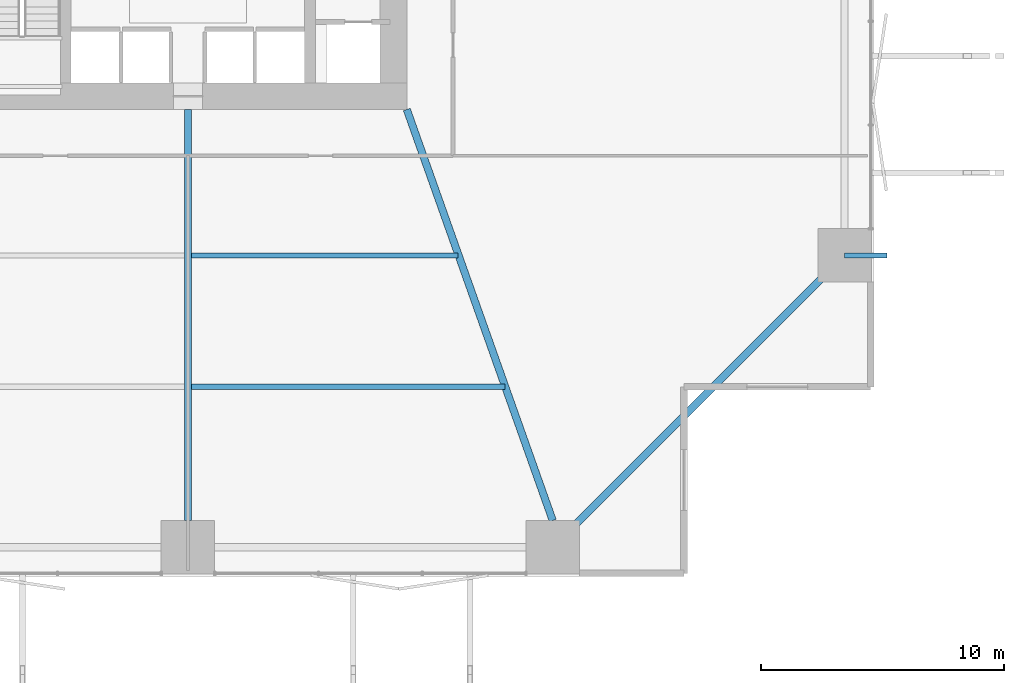
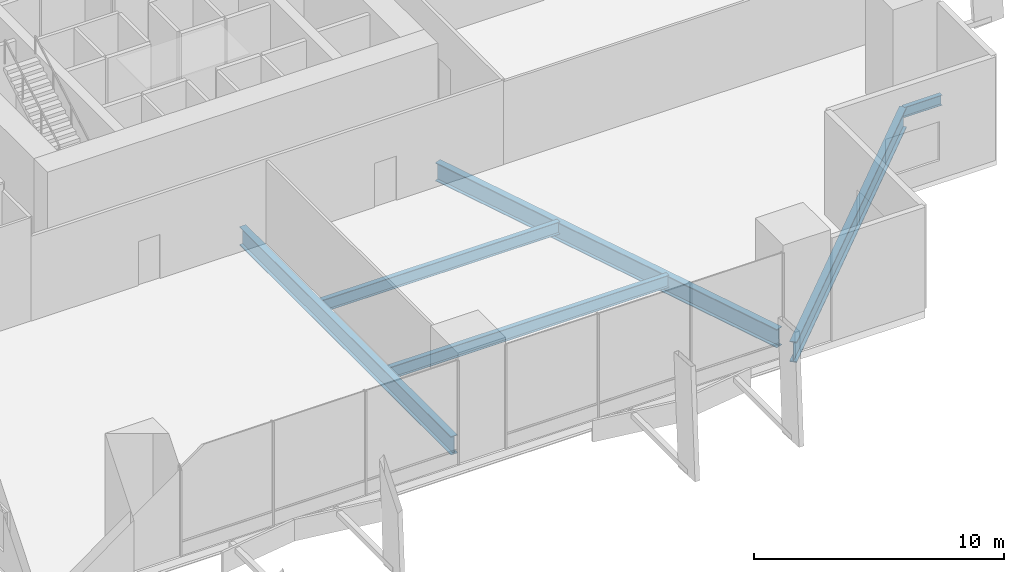
# One storey, part 7 of 24: 6 beams.
"""IFC4 building model written with IfcOpenShell, lengths in metres."""

from ifc_helpers import new_model, si_unit, direction, frame, origin, origin_2d, place, context, subcontext, project, spatial, i_section, extrude, material, material_profile, profile_set, type_object, element, save


model = new_model("IFC4")

# Units and contexts
model_context = context("Model", 3, precision=1e-05, world=origin(), true_north=direction((0.0, 1.0)))
body_context = subcontext(model_context, "Body", "Model", "MODEL_VIEW")
ifc_project = project(units=[si_unit("LENGTHUNIT", "METRE"), si_unit("AREAUNIT", "SQUARE_METRE"), si_unit("VOLUMEUNIT", "CUBIC_METRE"), si_unit("PLANEANGLEUNIT", "RADIAN"), si_unit("MASSUNIT", "GRAM", prefix="KILO")], contexts=[model_context])

# Site, building, storey
site_placement = place(None, origin())
site = spatial("IfcSite", under=ifc_project, at=site_placement, CompositionType="ELEMENT")
building_placement = place(site_placement, origin())
building = spatial("IfcBuilding", under=site, at=building_placement, Name="Belovzor Exchange Tower", CompositionType="ELEMENT")
storey_placement = place(building_placement, frame((0.0, 0.0, 8.39990234375)))
storey = spatial("IfcBuildingStorey", under=building, at=storey_placement, Name="L02", CompositionType="ELEMENT", Elevation=8.39990234375)

# Beams
ifc_material_1 = material(Name="Steel S355", Category="steel")
ifc_material_profile_1 = material_profile(ifc_material_1, i_section(OverallWidth=0.199951171875, OverallDepth=0.5, WebThickness=0.01025390625, FlangeThickness=0.01611328125, at=origin_2d()))
ifc_profile_set_1 = profile_set([ifc_material_profile_1], Name="Steel S355")
beam_type_1 = type_object("IfcBeamType", Name="Planted Balcony Cantilever Beam IPE 500", PredefinedType="BEAM", material=ifc_profile_set_1)
beam_1_placement = place(storey_placement, frame((55.800048828125, 13.800048828125, -0.599853515625), z_axis=(1.0, 0.0, 0.0), x_axis=(0.0, 1.0, 0.0)))
element("IfcBeam", 1, at=beam_1_placement, inside=storey, type_object=beam_type_1, Name="BC-500 Planted Balcony Cantilever Beam IPE 500", PredefinedType="BEAM", context=body_context, shape_type="SweptSolid", body=[
    extrude(i_section(OverallWidth=0.199951171875, OverallDepth=0.5, WebThickness=0.01025390625, FlangeThickness=0.01611328125, at=origin_2d()), origin(), (0.0, 0.0, 1.0), 1.75),
])
ifc_material_2 = material(Name="Steel S460", Category="steel")
ifc_material_profile_2 = material_profile(ifc_material_2, i_section(OverallWidth=0.300048828125, OverallDepth=1.0, WebThickness=0.02099609375, FlangeThickness=0.0400390625, at=origin_2d()))
ifc_profile_set_2 = profile_set([ifc_material_profile_2], Name="Steel S460")
beam_type_2 = type_object("IfcBeamType", Name="Podium Exchange Hall Ring Girder HEM 1000", PredefinedType="BEAM", material=ifc_profile_set_2)
beam_2_placement = place(storey_placement, frame((43.800048828125, 1.800048828125, -0.849853515625), z_axis=(0.707106781187, 0.707106781187, 0.0), x_axis=(-0.707106781187, 0.707106781187, 0.0)))
element("IfcBeam", 2, at=beam_2_placement, inside=storey, type_object=beam_type_2, Name="PG-1 Podium Exchange Hall Ring Girder HEM 1000", PredefinedType="BEAM", context=body_context, shape_type="SweptSolid", body=[
    extrude(i_section(OverallWidth=0.300048828125, OverallDepth=1.0, WebThickness=0.02099609375, FlangeThickness=0.0400390625, at=origin_2d()), origin(), (0.0, 0.0, 1.0), 16.970458984375),
])
ifc_material_3 = material(Name="Steel S460", Category="steel")
ifc_material_profile_3 = material_profile(ifc_material_3, i_section(OverallWidth=0.300048828125, OverallDepth=0.89990234375, WebThickness=0.0185546875, FlangeThickness=0.034912109375, at=origin_2d()))
ifc_profile_set_3 = profile_set([ifc_material_profile_3], Name="Steel S460")
beam_type_3 = type_object("IfcBeamType", Name="Podium Radial Clear-Span Girder HEB 900", PredefinedType="BEAM", material=ifc_profile_set_3)
beam_3_placement = place(storey_placement, frame((28.800048828125, 19.800048828125, -0.7998046875), z_axis=(0.0, -1.0, 0.0), x_axis=(1.0, 0.0, 0.0)))
element("IfcBeam", 3, at=beam_3_placement, inside=storey, type_object=beam_type_3, Name="PG-2 Podium Radial Clear-Span Girder HEB 900", PredefinedType="BEAM", context=body_context, shape_type="SweptSolid", body=[
    extrude(i_section(OverallWidth=0.300048828125, OverallDepth=0.89990234375, WebThickness=0.0185546875, FlangeThickness=0.034912109375, at=origin_2d()), origin(), (0.0, 0.0, 1.0), 16.900146484375),
])
beam_4_placement = place(storey_placement, frame((37.800048828125, 19.800048828125, -0.7998046875), z_axis=(0.334567025634, -0.94237195701, 0.0), x_axis=(0.94237195701, 0.334567025634, 0.0)))
element("IfcBeam", 4, at=beam_4_placement, inside=storey, type_object=beam_type_3, Name="PG-2 Podium Radial Clear-Span Girder HEB 900", PredefinedType="BEAM", context=body_context, shape_type="SweptSolid", body=[
    extrude(i_section(OverallWidth=0.300048828125, OverallDepth=0.89990234375, WebThickness=0.0185546875, FlangeThickness=0.034912109375, at=origin_2d()), origin(), (0.0, 0.0, 1.0), 17.93359375),
])
ifc_material_4 = material(Name="Steel S355", Category="steel")
ifc_material_profile_4 = material_profile(ifc_material_4, i_section(OverallWidth=0.219970703125, OverallDepth=0.60009765625, WebThickness=0.011962890625, FlangeThickness=0.01904296875, at=origin_2d()))
ifc_profile_set_4 = profile_set([ifc_material_profile_4], Name="Steel S355")
beam_type_4 = type_object("IfcBeamType", Name="Podium Secondary Composite Floor Beam IPE 600", PredefinedType="BEAM", material=ifc_profile_set_4)
beam_5_placement = place(storey_placement, frame((28.949951171875, 8.39990234375, -0.64990234375), z_axis=(1.0, 0.0, 0.0), x_axis=(0.0, 1.0, 0.0)))
element("IfcBeam", 5, at=beam_5_placement, inside=storey, type_object=beam_type_4, Name="FB-600 Podium Secondary Composite Floor Beam IPE 600", PredefinedType="BEAM", context=body_context, shape_type="SweptSolid", body=[
    extrude(i_section(OverallWidth=0.219970703125, OverallDepth=0.60009765625, WebThickness=0.011962890625, FlangeThickness=0.01904296875, at=origin_2d()), origin(), (0.0, 0.0, 1.0), 12.876953125),
])
beam_6_placement = place(storey_placement, frame((28.949951171875, 13.800048828125, -0.64990234375), z_axis=(1.0, 0.0, 0.0), x_axis=(0.0, 1.0, 0.0)))
element("IfcBeam", 6, at=beam_6_placement, inside=storey, type_object=beam_type_4, Name="FB-600 Podium Secondary Composite Floor Beam IPE 600", PredefinedType="BEAM", context=body_context, shape_type="SweptSolid", body=[
    extrude(i_section(OverallWidth=0.219970703125, OverallDepth=0.60009765625, WebThickness=0.011962890625, FlangeThickness=0.01904296875, at=origin_2d()), origin(), (0.0, 0.0, 1.0), 10.9599609375),
])

save(model, "model.ifc")
